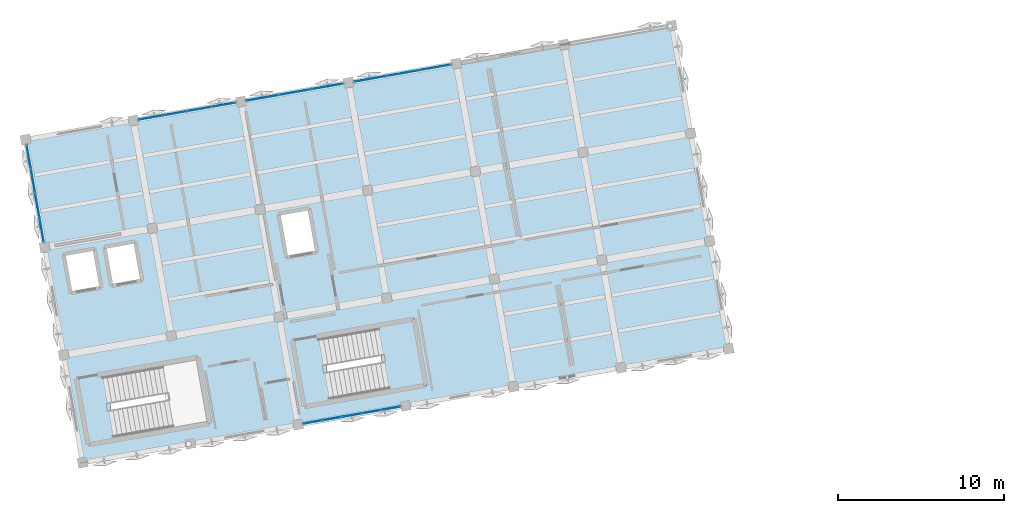
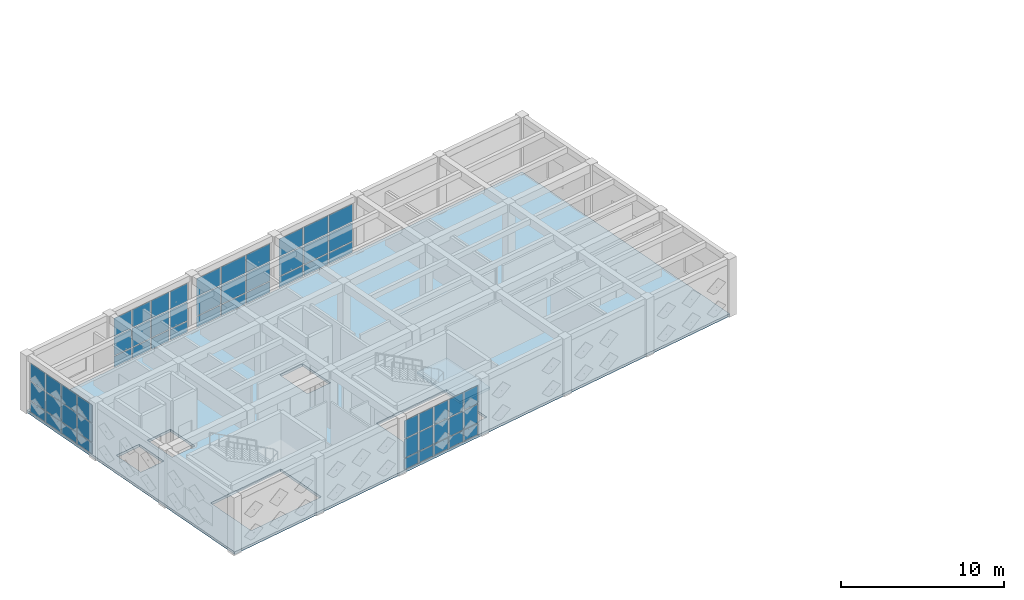
# One storey, part 21 of 36: 57 plates, 2 slabs, 6 elements without a shape of their own.
"""IFC4 building model written with IfcOpenShell, lengths in metres."""

from ifc_helpers import new_model, si_unit, direction, frame, origin, origin_2d, place, context, subcontext, project, spatial, polyline, rectangle, outline, extrude, material, layer, layer_set, type_object, element, aggregate, save


model = new_model("IFC4")

# Units and contexts
model_context = context("Model", 3, precision=1e-05, world=origin(), true_north=direction((0.0, 1.0)))
body_context = subcontext(model_context, "Body", "Model", "MODEL_VIEW")
ifc_project = project(units=[si_unit("LENGTHUNIT", "METRE"), si_unit("AREAUNIT", "SQUARE_METRE"), si_unit("VOLUMEUNIT", "CUBIC_METRE"), si_unit("PLANEANGLEUNIT", "RADIAN"), si_unit("MASSUNIT", "GRAM", prefix="KILO")], contexts=[model_context])

# Site, building, storey
site_placement = place(None, origin())
site = spatial("IfcSite", under=ifc_project, at=site_placement, CompositionType="ELEMENT")
building_placement = place(site_placement, origin())
building = spatial("IfcBuilding", under=site, at=building_placement, Name="Kharisveld Research Institute", CompositionType="ELEMENT")
storey_placement = place(building_placement, frame((0.0, 0.0, 27.60009765625)))
storey = spatial("IfcBuildingStorey", under=building, at=storey_placement, Name="L06", CompositionType="ELEMENT", Elevation=27.60009765625)

# Curtain wall, plates
ifc_material_1 = material(Name="Thermally Broken Aluminium Curtain Wall", Category="aluminium")
ifc_layer_1 = layer(ifc_material_1, 0.159912109375)
ifc_layer_set_1 = layer_set([ifc_layer_1], Name="CW_SYS_03")
curtain_wall_type_1 = type_object("IfcCurtainWallType", Name="CW_SYS_03", PredefinedType="NOTDEFINED", material=ifc_layer_set_1)
curtain_wall_1_placement = place(storey_placement, origin())
curtain_wall_1 = element("IfcCurtainWall", 1, at=curtain_wall_1_placement, inside=storey, type_object=curtain_wall_type_1, Name="CW:V1:L06:W2", PredefinedType="NOTDEFINED")
ifc_material_2 = material(Name="Low-E Double Glazing", Category="glass")
ifc_layer_2 = layer(ifc_material_2, 0.028076171875)
ifc_layer_set_2 = layer_set([ifc_layer_2], Name="CW_PNL_GLZ")
plate_type_1 = type_object("IfcPlateType", Name="CW_PNL_GLZ", PredefinedType="CURTAIN_PANEL", material=ifc_layer_set_2)
plate_1_placement = place(storey_placement, frame((2.72314453125, 49.05712890625, 0.06494140625), z_axis=(0.0, 0.0, 1.0), x_axis=(-0.173648210685, 0.98480774719, 0.0)))
plate_1 = element("IfcPlate", 2, at=plate_1_placement, type_object=plate_type_1, Name="CW-03 panel 1.1", PredefinedType="CURTAIN_PANEL", context=body_context, shape_type="SweptSolid", body=[
    extrude(rectangle(XDim=1.3974609375, YDim=0.028076171875, at=origin_2d()), origin(), (0.0, 0.0, 1.0), 0.802490234375),
])
plate_2_placement = place(storey_placement, frame((2.72314453125, 49.05712890625, 0.9326171875), z_axis=(0.0, 0.0, 1.0), x_axis=(-0.173648210685, 0.98480774719, 0.0)))
plate_2 = element("IfcPlate", 3, at=plate_2_placement, type_object=plate_type_1, Name="CW-03 panel 1.2", PredefinedType="CURTAIN_PANEL", context=body_context, shape_type="SweptSolid", body=[
    extrude(rectangle(XDim=1.3974609375, YDim=0.028076171875, at=origin_2d()), origin(), (0.0, 0.0, 1.0), 1.385009765625),
])
plate_3_placement = place(storey_placement, frame((2.72314453125, 49.05712890625, 2.38232421875), z_axis=(0.0, 0.0, 1.0), x_axis=(-0.173648210685, 0.98480774719, 0.0)))
plate_3 = element("IfcPlate", 4, at=plate_3_placement, type_object=plate_type_1, Name="CW-03 panel 1.3", PredefinedType="CURTAIN_PANEL", context=body_context, shape_type="SweptSolid", body=[
    extrude(rectangle(XDim=1.3974609375, YDim=0.028076171875, at=origin_2d()), origin(), (0.0, 0.0, 1.0), 1.33251953125),
])
plate_4_placement = place(storey_placement, frame((2.46533203125, 50.51953125, 0.06494140625), z_axis=(0.0, 0.0, 1.0), x_axis=(-0.173648210685, 0.98480774719, 0.0)))
plate_4 = element("IfcPlate", 5, at=plate_4_placement, type_object=plate_type_1, Name="CW-03 panel 2.1", PredefinedType="CURTAIN_PANEL", context=body_context, shape_type="SweptSolid", body=[
    extrude(rectangle(XDim=1.4326171875, YDim=0.028076171875, at=origin_2d()), origin(), (0.0, 0.0, 1.0), 0.802490234375),
])
plate_5_placement = place(storey_placement, frame((2.46533203125, 50.51953125, 0.9326171875), z_axis=(0.0, 0.0, 1.0), x_axis=(-0.173648210685, 0.98480774719, 0.0)))
plate_5 = element("IfcPlate", 6, at=plate_5_placement, type_object=plate_type_1, Name="CW-03 panel 2.2", PredefinedType="CURTAIN_PANEL", context=body_context, shape_type="SweptSolid", body=[
    extrude(rectangle(XDim=1.4326171875, YDim=0.028076171875, at=origin_2d()), origin(), (0.0, 0.0, 1.0), 1.385009765625),
])
plate_6_placement = place(storey_placement, frame((2.46533203125, 50.51953125, 2.38232421875), z_axis=(0.0, 0.0, 1.0), x_axis=(-0.173648210685, 0.98480774719, 0.0)))
plate_6 = element("IfcPlate", 7, at=plate_6_placement, type_object=plate_type_1, Name="CW-03 panel 2.3", PredefinedType="CURTAIN_PANEL", context=body_context, shape_type="SweptSolid", body=[
    extrude(rectangle(XDim=1.4326171875, YDim=0.028076171875, at=origin_2d()), origin(), (0.0, 0.0, 1.0), 1.33251953125),
])
plate_7_placement = place(storey_placement, frame((2.204345703125, 51.999267578125, 0.06494140625), z_axis=(0.0, 0.0, 1.0), x_axis=(-0.173648210685, 0.98480774719, 0.0)))
plate_7 = element("IfcPlate", 8, at=plate_7_placement, type_object=plate_type_1, Name="CW-03 panel 3.1", PredefinedType="CURTAIN_PANEL", context=body_context, shape_type="SweptSolid", body=[
    extrude(rectangle(XDim=1.4326171875, YDim=0.028076171875, at=origin_2d()), origin(), (0.0, 0.0, 1.0), 0.802490234375),
])
plate_8_placement = place(storey_placement, frame((2.204345703125, 51.999267578125, 0.9326171875), z_axis=(0.0, 0.0, 1.0), x_axis=(-0.173648210685, 0.98480774719, 0.0)))
plate_8 = element("IfcPlate", 9, at=plate_8_placement, type_object=plate_type_1, Name="CW-03 panel 3.2", PredefinedType="CURTAIN_PANEL", context=body_context, shape_type="SweptSolid", body=[
    extrude(rectangle(XDim=1.4326171875, YDim=0.028076171875, at=origin_2d()), origin(), (0.0, 0.0, 1.0), 1.385009765625),
])
plate_9_placement = place(storey_placement, frame((2.204345703125, 51.999267578125, 2.38232421875), z_axis=(0.0, 0.0, 1.0), x_axis=(-0.173648210685, 0.98480774719, 0.0)))
plate_9 = element("IfcPlate", 10, at=plate_9_placement, type_object=plate_type_1, Name="CW-03 panel 3.3", PredefinedType="CURTAIN_PANEL", context=body_context, shape_type="SweptSolid", body=[
    extrude(rectangle(XDim=1.4326171875, YDim=0.028076171875, at=origin_2d()), origin(), (0.0, 0.0, 1.0), 1.33251953125),
])
plate_10_placement = place(storey_placement, frame((1.946533203125, 53.461669921875, 0.06494140625), z_axis=(0.0, 0.0, 1.0), x_axis=(-0.173648210685, 0.98480774719, 0.0)))
plate_10 = element("IfcPlate", 11, at=plate_10_placement, type_object=plate_type_1, Name="CW-03 panel 4.1", PredefinedType="CURTAIN_PANEL", context=body_context, shape_type="SweptSolid", body=[
    extrude(rectangle(XDim=1.3974609375, YDim=0.028076171875, at=origin_2d()), origin(), (0.0, 0.0, 1.0), 0.802490234375),
])
plate_11_placement = place(storey_placement, frame((1.946533203125, 53.461669921875, 0.9326171875), z_axis=(0.0, 0.0, 1.0), x_axis=(-0.173648210685, 0.98480774719, 0.0)))
plate_11 = element("IfcPlate", 12, at=plate_11_placement, type_object=plate_type_1, Name="CW-03 panel 4.2", PredefinedType="CURTAIN_PANEL", context=body_context, shape_type="SweptSolid", body=[
    extrude(rectangle(XDim=1.3974609375, YDim=0.028076171875, at=origin_2d()), origin(), (0.0, 0.0, 1.0), 1.385009765625),
])
plate_12_placement = place(storey_placement, frame((1.946533203125, 53.461669921875, 2.38232421875), z_axis=(0.0, 0.0, 1.0), x_axis=(-0.173648210685, 0.98480774719, 0.0)))
plate_12 = element("IfcPlate", 13, at=plate_12_placement, type_object=plate_type_1, Name="CW-03 panel 4.3", PredefinedType="CURTAIN_PANEL", context=body_context, shape_type="SweptSolid", body=[
    extrude(rectangle(XDim=1.3974609375, YDim=0.028076171875, at=origin_2d()), origin(), (0.0, 0.0, 1.0), 1.33251953125),
])
aggregate(curtain_wall_1, [plate_1, plate_2, plate_3, plate_4, plate_5, plate_6, plate_7, plate_8, plate_9, plate_10, plate_11, plate_12])

ifc_material_3 = material(Name="Thermally Broken Aluminium Curtain Wall", Category="aluminium")
ifc_layer_3 = layer(ifc_material_3, 0.159912109375)
ifc_layer_set_3 = layer_set([ifc_layer_3], Name="CW_SYS_04")
curtain_wall_type_2 = type_object("IfcCurtainWallType", Name="CW_SYS_04", PredefinedType="NOTDEFINED", material=ifc_layer_set_3)
curtain_wall_2_placement = place(storey_placement, origin())
curtain_wall_2 = element("IfcCurtainWall", 14, at=curtain_wall_2_placement, inside=storey, type_object=curtain_wall_type_2, Name="CW:V1:L06:N1", PredefinedType="NOTDEFINED")
plate_13_placement = place(storey_placement, frame((9.30908203125, 55.840087890625, 0.06494140625), z_axis=(0.0, 0.0, 1.0), x_axis=(0.984807742174, 0.173648239132, 0.0)))
plate_13 = element("IfcPlate", 15, at=plate_13_placement, type_object=plate_type_1, Name="CW-04 panel 1.1", PredefinedType="CURTAIN_PANEL", context=body_context, shape_type="SweptSolid", body=[
    extrude(rectangle(XDim=1.3974609375, YDim=0.028076171875, at=origin_2d()), origin(), (0.0, 0.0, 1.0), 0.802490234375),
])
plate_14_placement = place(storey_placement, frame((9.30908203125, 55.840087890625, 0.9326171875), z_axis=(0.0, 0.0, 1.0), x_axis=(0.984807742174, 0.173648239132, 0.0)))
plate_14 = element("IfcPlate", 16, at=plate_14_placement, type_object=plate_type_1, Name="CW-04 panel 1.2", PredefinedType="CURTAIN_PANEL", context=body_context, shape_type="SweptSolid", body=[
    extrude(rectangle(XDim=1.3974609375, YDim=0.028076171875, at=origin_2d()), origin(), (0.0, 0.0, 1.0), 1.385009765625),
])
plate_15_placement = place(storey_placement, frame((9.30908203125, 55.840087890625, 2.38232421875), z_axis=(0.0, 0.0, 1.0), x_axis=(0.984807742174, 0.173648239132, 0.0)))
plate_15 = element("IfcPlate", 17, at=plate_15_placement, type_object=plate_type_1, Name="CW-04 panel 1.3", PredefinedType="CURTAIN_PANEL", context=body_context, shape_type="SweptSolid", body=[
    extrude(rectangle(XDim=1.3974609375, YDim=0.028076171875, at=origin_2d()), origin(), (0.0, 0.0, 1.0), 1.33251953125),
])
plate_16_placement = place(storey_placement, frame((10.771484375, 56.097900390625, 0.06494140625), z_axis=(0.0, 0.0, 1.0), x_axis=(0.984807742174, 0.173648239132, 0.0)))
plate_16 = element("IfcPlate", 18, at=plate_16_placement, type_object=plate_type_1, Name="CW-04 panel 2.1", PredefinedType="CURTAIN_PANEL", context=body_context, shape_type="SweptSolid", body=[
    extrude(rectangle(XDim=1.4326171875, YDim=0.028076171875, at=origin_2d()), origin(), (0.0, 0.0, 1.0), 0.802490234375),
])
plate_17_placement = place(storey_placement, frame((10.771484375, 56.097900390625, 0.9326171875), z_axis=(0.0, 0.0, 1.0), x_axis=(0.984807742174, 0.173648239132, 0.0)))
plate_17 = element("IfcPlate", 19, at=plate_17_placement, type_object=plate_type_1, Name="CW-04 panel 2.2", PredefinedType="CURTAIN_PANEL", context=body_context, shape_type="SweptSolid", body=[
    extrude(rectangle(XDim=1.4326171875, YDim=0.028076171875, at=origin_2d()), origin(), (0.0, 0.0, 1.0), 1.385009765625),
])
plate_18_placement = place(storey_placement, frame((10.771484375, 56.097900390625, 2.38232421875), z_axis=(0.0, 0.0, 1.0), x_axis=(0.984807742174, 0.173648239132, 0.0)))
plate_18 = element("IfcPlate", 20, at=plate_18_placement, type_object=plate_type_1, Name="CW-04 panel 2.3", PredefinedType="CURTAIN_PANEL", context=body_context, shape_type="SweptSolid", body=[
    extrude(rectangle(XDim=1.4326171875, YDim=0.028076171875, at=origin_2d()), origin(), (0.0, 0.0, 1.0), 1.33251953125),
])
plate_19_placement = place(storey_placement, frame((12.251220703125, 56.358642578125, 0.06494140625), z_axis=(0.0, 0.0, 1.0), x_axis=(0.984807742174, 0.173648239132, 0.0)))
plate_19 = element("IfcPlate", 21, at=plate_19_placement, type_object=plate_type_1, Name="CW-04 panel 3.1", PredefinedType="CURTAIN_PANEL", context=body_context, shape_type="SweptSolid", body=[
    extrude(rectangle(XDim=1.4326171875, YDim=0.028076171875, at=origin_2d()), origin(), (0.0, 0.0, 1.0), 0.802490234375),
])
plate_20_placement = place(storey_placement, frame((12.251220703125, 56.358642578125, 0.9326171875), z_axis=(0.0, 0.0, 1.0), x_axis=(0.984807742174, 0.173648239132, 0.0)))
plate_20 = element("IfcPlate", 22, at=plate_20_placement, type_object=plate_type_1, Name="CW-04 panel 3.2", PredefinedType="CURTAIN_PANEL", context=body_context, shape_type="SweptSolid", body=[
    extrude(rectangle(XDim=1.4326171875, YDim=0.028076171875, at=origin_2d()), origin(), (0.0, 0.0, 1.0), 1.385009765625),
])
plate_21_placement = place(storey_placement, frame((12.251220703125, 56.358642578125, 2.38232421875), z_axis=(0.0, 0.0, 1.0), x_axis=(0.984807742174, 0.173648239132, 0.0)))
plate_21 = element("IfcPlate", 23, at=plate_21_placement, type_object=plate_type_1, Name="CW-04 panel 3.3", PredefinedType="CURTAIN_PANEL", context=body_context, shape_type="SweptSolid", body=[
    extrude(rectangle(XDim=1.4326171875, YDim=0.028076171875, at=origin_2d()), origin(), (0.0, 0.0, 1.0), 1.33251953125),
])
plate_22_placement = place(storey_placement, frame((13.713623046875, 56.61669921875, 0.06494140625), z_axis=(0.0, 0.0, 1.0), x_axis=(0.984807742174, 0.173648239132, 0.0)))
plate_22 = element("IfcPlate", 24, at=plate_22_placement, type_object=plate_type_1, Name="CW-04 panel 4.1", PredefinedType="CURTAIN_PANEL", context=body_context, shape_type="SweptSolid", body=[
    extrude(rectangle(XDim=1.3974609375, YDim=0.028076171875, at=origin_2d()), origin(), (0.0, 0.0, 1.0), 0.802490234375),
])
plate_23_placement = place(storey_placement, frame((13.713623046875, 56.61669921875, 0.9326171875), z_axis=(0.0, 0.0, 1.0), x_axis=(0.984807742174, 0.173648239132, 0.0)))
plate_23 = element("IfcPlate", 25, at=plate_23_placement, type_object=plate_type_1, Name="CW-04 panel 4.2", PredefinedType="CURTAIN_PANEL", context=body_context, shape_type="SweptSolid", body=[
    extrude(rectangle(XDim=1.3974609375, YDim=0.028076171875, at=origin_2d()), origin(), (0.0, 0.0, 1.0), 1.385009765625),
])
plate_24_placement = place(storey_placement, frame((13.713623046875, 56.61669921875, 2.38232421875), z_axis=(0.0, 0.0, 1.0), x_axis=(0.984807742174, 0.173648239132, 0.0)))
plate_24 = element("IfcPlate", 26, at=plate_24_placement, type_object=plate_type_1, Name="CW-04 panel 4.3", PredefinedType="CURTAIN_PANEL", context=body_context, shape_type="SweptSolid", body=[
    extrude(rectangle(XDim=1.3974609375, YDim=0.028076171875, at=origin_2d()), origin(), (0.0, 0.0, 1.0), 1.33251953125),
])
aggregate(curtain_wall_2, [plate_13, plate_14, plate_15, plate_16, plate_17, plate_18, plate_19, plate_20, plate_21, plate_22, plate_23, plate_24])

ifc_material_4 = material(Name="Thermally Broken Aluminium Curtain Wall", Category="aluminium")
ifc_layer_4 = layer(ifc_material_4, 0.159912109375)
ifc_layer_set_4 = layer_set([ifc_layer_4], Name="CW_SYS_05")
curtain_wall_type_3 = type_object("IfcCurtainWallType", Name="CW_SYS_05", PredefinedType="NOTDEFINED", material=ifc_layer_set_4)
curtain_wall_3_placement = place(storey_placement, origin())
curtain_wall_3 = element("IfcCurtainWall", 27, at=curtain_wall_3_placement, inside=storey, type_object=curtain_wall_type_3, Name="CW:V1:L06:N2", PredefinedType="NOTDEFINED")
plate_25_placement = place(storey_placement, frame((16.055419921875, 57.029541015625, 0.06494140625), z_axis=(0.0, 0.0, 1.0), x_axis=(0.98480774719, 0.173648210685, 0.0)))
plate_25 = element("IfcPlate", 28, at=plate_25_placement, type_object=plate_type_1, Name="CW-05 panel 1.1", PredefinedType="CURTAIN_PANEL", context=body_context, shape_type="SweptSolid", body=[
    extrude(rectangle(XDim=1.8984375, YDim=0.028076171875, at=origin_2d()), origin(), (0.0, 0.0, 1.0), 0.802490234375),
])
plate_26_placement = place(storey_placement, frame((16.055419921875, 57.029541015625, 0.9326171875), z_axis=(0.0, 0.0, 1.0), x_axis=(0.98480774719, 0.173648210685, 0.0)))
plate_26 = element("IfcPlate", 29, at=plate_26_placement, type_object=plate_type_1, Name="CW-05 panel 1.2", PredefinedType="CURTAIN_PANEL", context=body_context, shape_type="SweptSolid", body=[
    extrude(rectangle(XDim=1.8984375, YDim=0.028076171875, at=origin_2d()), origin(), (0.0, 0.0, 1.0), 1.385009765625),
])
plate_27_placement = place(storey_placement, frame((16.055419921875, 57.029541015625, 2.38232421875), z_axis=(0.0, 0.0, 1.0), x_axis=(0.98480774719, 0.173648210685, 0.0)))
plate_27 = element("IfcPlate", 30, at=plate_27_placement, type_object=plate_type_1, Name="CW-05 panel 1.3", PredefinedType="CURTAIN_PANEL", context=body_context, shape_type="SweptSolid", body=[
    extrude(rectangle(XDim=1.8984375, YDim=0.028076171875, at=origin_2d()), origin(), (0.0, 0.0, 1.0), 1.33251953125),
])
plate_28_placement = place(storey_placement, frame((18.010986328125, 57.374267578125, 0.06494140625), z_axis=(0.0, 0.0, 1.0), x_axis=(0.98480774719, 0.173648210685, 0.0)))
plate_28 = element("IfcPlate", 31, at=plate_28_placement, type_object=plate_type_1, Name="CW-05 panel 2.1", PredefinedType="CURTAIN_PANEL", context=body_context, shape_type="SweptSolid", body=[
    extrude(rectangle(XDim=1.933349609375, YDim=0.028076171875, at=origin_2d()), origin(), (0.0, 0.0, 1.0), 0.802490234375),
])
plate_29_placement = place(storey_placement, frame((18.010986328125, 57.374267578125, 0.9326171875), z_axis=(0.0, 0.0, 1.0), x_axis=(0.98480774719, 0.173648210685, 0.0)))
plate_29 = element("IfcPlate", 32, at=plate_29_placement, type_object=plate_type_1, Name="CW-05 panel 2.2", PredefinedType="CURTAIN_PANEL", context=body_context, shape_type="SweptSolid", body=[
    extrude(rectangle(XDim=1.933349609375, YDim=0.028076171875, at=origin_2d()), origin(), (0.0, 0.0, 1.0), 1.385009765625),
])
plate_30_placement = place(storey_placement, frame((18.010986328125, 57.374267578125, 2.38232421875), z_axis=(0.0, 0.0, 1.0), x_axis=(0.98480774719, 0.173648210685, 0.0)))
plate_30 = element("IfcPlate", 33, at=plate_30_placement, type_object=plate_type_1, Name="CW-05 panel 2.3", PredefinedType="CURTAIN_PANEL", context=body_context, shape_type="SweptSolid", body=[
    extrude(rectangle(XDim=1.933349609375, YDim=0.028076171875, at=origin_2d()), origin(), (0.0, 0.0, 1.0), 1.33251953125),
])
plate_31_placement = place(storey_placement, frame((19.966796875, 57.71923828125, 0.06494140625), z_axis=(0.0, 0.0, 1.0), x_axis=(0.98480774719, 0.173648210685, 0.0)))
plate_31 = element("IfcPlate", 34, at=plate_31_placement, type_object=plate_type_1, Name="CW-05 panel 3.1", PredefinedType="CURTAIN_PANEL", context=body_context, shape_type="SweptSolid", body=[
    extrude(rectangle(XDim=1.8984375, YDim=0.028076171875, at=origin_2d()), origin(), (0.0, 0.0, 1.0), 0.802490234375),
])
plate_32_placement = place(storey_placement, frame((19.966796875, 57.71923828125, 0.9326171875), z_axis=(0.0, 0.0, 1.0), x_axis=(0.98480774719, 0.173648210685, 0.0)))
plate_32 = element("IfcPlate", 35, at=plate_32_placement, type_object=plate_type_1, Name="CW-05 panel 3.2", PredefinedType="CURTAIN_PANEL", context=body_context, shape_type="SweptSolid", body=[
    extrude(rectangle(XDim=1.8984375, YDim=0.028076171875, at=origin_2d()), origin(), (0.0, 0.0, 1.0), 1.385009765625),
])
plate_33_placement = place(storey_placement, frame((19.966796875, 57.71923828125, 2.38232421875), z_axis=(0.0, 0.0, 1.0), x_axis=(0.98480774719, 0.173648210685, 0.0)))
plate_33 = element("IfcPlate", 36, at=plate_33_placement, type_object=plate_type_1, Name="CW-05 panel 3.3", PredefinedType="CURTAIN_PANEL", context=body_context, shape_type="SweptSolid", body=[
    extrude(rectangle(XDim=1.8984375, YDim=0.028076171875, at=origin_2d()), origin(), (0.0, 0.0, 1.0), 1.33251953125),
])
aggregate(curtain_wall_3, [plate_25, plate_26, plate_27, plate_28, plate_29, plate_30, plate_31, plate_32, plate_33])

ifc_material_5 = material(Name="Thermally Broken Aluminium Curtain Wall", Category="aluminium")
ifc_layer_5 = layer(ifc_material_5, 0.159912109375)
ifc_layer_set_5 = layer_set([ifc_layer_5], Name="CW_SYS_06")
curtain_wall_type_4 = type_object("IfcCurtainWallType", Name="CW_SYS_06", PredefinedType="NOTDEFINED", material=ifc_layer_set_5)
curtain_wall_4_placement = place(storey_placement, origin())
curtain_wall_4 = element("IfcCurtainWall", 37, at=curtain_wall_4_placement, inside=storey, type_object=curtain_wall_type_4, Name="CW:V1:L06:N3", PredefinedType="NOTDEFINED")
plate_34_placement = place(storey_placement, frame((22.55517578125, 58.175537109375, 0.06494140625), z_axis=(0.0, 0.0, 1.0), x_axis=(0.984807742174, 0.173648239132, 0.0)))
plate_34 = element("IfcPlate", 38, at=plate_34_placement, type_object=plate_type_1, Name="CW-06 panel 1.1", PredefinedType="CURTAIN_PANEL", context=body_context, shape_type="SweptSolid", body=[
    extrude(rectangle(XDim=1.8984375, YDim=0.028076171875, at=origin_2d()), origin(), (0.0, 0.0, 1.0), 0.802490234375),
])
plate_35_placement = place(storey_placement, frame((22.55517578125, 58.175537109375, 0.9326171875), z_axis=(0.0, 0.0, 1.0), x_axis=(0.984807742174, 0.173648239132, 0.0)))
plate_35 = element("IfcPlate", 39, at=plate_35_placement, type_object=plate_type_1, Name="CW-06 panel 1.2", PredefinedType="CURTAIN_PANEL", context=body_context, shape_type="SweptSolid", body=[
    extrude(rectangle(XDim=1.8984375, YDim=0.028076171875, at=origin_2d()), origin(), (0.0, 0.0, 1.0), 1.385009765625),
])
plate_36_placement = place(storey_placement, frame((22.55517578125, 58.175537109375, 2.38232421875), z_axis=(0.0, 0.0, 1.0), x_axis=(0.984807742174, 0.173648239132, 0.0)))
plate_36 = element("IfcPlate", 40, at=plate_36_placement, type_object=plate_type_1, Name="CW-06 panel 1.3", PredefinedType="CURTAIN_PANEL", context=body_context, shape_type="SweptSolid", body=[
    extrude(rectangle(XDim=1.8984375, YDim=0.028076171875, at=origin_2d()), origin(), (0.0, 0.0, 1.0), 1.33251953125),
])
plate_37_placement = place(storey_placement, frame((24.5107421875, 58.5205078125, 0.06494140625), z_axis=(0.0, 0.0, 1.0), x_axis=(0.984807742174, 0.173648239132, 0.0)))
plate_37 = element("IfcPlate", 41, at=plate_37_placement, type_object=plate_type_1, Name="CW-06 panel 2.1", PredefinedType="CURTAIN_PANEL", context=body_context, shape_type="SweptSolid", body=[
    extrude(rectangle(XDim=1.933349609375, YDim=0.028076171875, at=origin_2d()), origin(), (0.0, 0.0, 1.0), 0.802490234375),
])
plate_38_placement = place(storey_placement, frame((24.5107421875, 58.5205078125, 0.9326171875), z_axis=(0.0, 0.0, 1.0), x_axis=(0.984807742174, 0.173648239132, 0.0)))
plate_38 = element("IfcPlate", 42, at=plate_38_placement, type_object=plate_type_1, Name="CW-06 panel 2.2", PredefinedType="CURTAIN_PANEL", context=body_context, shape_type="SweptSolid", body=[
    extrude(rectangle(XDim=1.933349609375, YDim=0.028076171875, at=origin_2d()), origin(), (0.0, 0.0, 1.0), 1.385009765625),
])
plate_39_placement = place(storey_placement, frame((24.5107421875, 58.5205078125, 2.38232421875), z_axis=(0.0, 0.0, 1.0), x_axis=(0.984807742174, 0.173648239132, 0.0)))
plate_39 = element("IfcPlate", 43, at=plate_39_placement, type_object=plate_type_1, Name="CW-06 panel 2.3", PredefinedType="CURTAIN_PANEL", context=body_context, shape_type="SweptSolid", body=[
    extrude(rectangle(XDim=1.933349609375, YDim=0.028076171875, at=origin_2d()), origin(), (0.0, 0.0, 1.0), 1.33251953125),
])
plate_40_placement = place(storey_placement, frame((26.466552734375, 58.865234375, 0.06494140625), z_axis=(0.0, 0.0, 1.0), x_axis=(0.984807742174, 0.173648239132, 0.0)))
plate_40 = element("IfcPlate", 44, at=plate_40_placement, type_object=plate_type_1, Name="CW-06 panel 3.1", PredefinedType="CURTAIN_PANEL", context=body_context, shape_type="SweptSolid", body=[
    extrude(rectangle(XDim=1.8984375, YDim=0.028076171875, at=origin_2d()), origin(), (0.0, 0.0, 1.0), 0.802490234375),
])
plate_41_placement = place(storey_placement, frame((26.466552734375, 58.865234375, 0.9326171875), z_axis=(0.0, 0.0, 1.0), x_axis=(0.984807742174, 0.173648239132, 0.0)))
plate_41 = element("IfcPlate", 45, at=plate_41_placement, type_object=plate_type_1, Name="CW-06 panel 3.2", PredefinedType="CURTAIN_PANEL", context=body_context, shape_type="SweptSolid", body=[
    extrude(rectangle(XDim=1.8984375, YDim=0.028076171875, at=origin_2d()), origin(), (0.0, 0.0, 1.0), 1.385009765625),
])
plate_42_placement = place(storey_placement, frame((26.466552734375, 58.865234375, 2.38232421875), z_axis=(0.0, 0.0, 1.0), x_axis=(0.984807742174, 0.173648239132, 0.0)))
plate_42 = element("IfcPlate", 46, at=plate_42_placement, type_object=plate_type_1, Name="CW-06 panel 3.3", PredefinedType="CURTAIN_PANEL", context=body_context, shape_type="SweptSolid", body=[
    extrude(rectangle(XDim=1.8984375, YDim=0.028076171875, at=origin_2d()), origin(), (0.0, 0.0, 1.0), 1.33251953125),
])
aggregate(curtain_wall_4, [plate_34, plate_35, plate_36, plate_37, plate_38, plate_39, plate_40, plate_41, plate_42])

ifc_material_6 = material(Name="Thermally Broken Aluminium Curtain Wall", Category="aluminium")
ifc_layer_6 = layer(ifc_material_6, 0.159912109375)
ifc_layer_set_6 = layer_set([ifc_layer_6], Name="CW_SYS_01")
curtain_wall_type_5 = type_object("IfcCurtainWallType", Name="CW_SYS_01", PredefinedType="NOTDEFINED", material=ifc_layer_set_6)
curtain_wall_5_placement = place(storey_placement, origin())
curtain_wall_5 = element("IfcCurtainWall", 47, at=curtain_wall_5_placement, inside=storey, type_object=curtain_wall_type_5, Name="CW:V1:L06:S3", PredefinedType="NOTDEFINED")
ifc_material_7 = material(Name="Insulated Spandrel Glazing", Category="glass")
ifc_layer_7 = layer(ifc_material_7, 0.035888671875)
ifc_layer_set_7 = layer_set([ifc_layer_7], Name="CW_PNL_SPD")
plate_type_2 = type_object("IfcPlateType", Name="CW_PNL_SPD", PredefinedType="CURTAIN_PANEL", material=ifc_layer_set_7)
plate_43_placement = place(storey_placement, frame((23.799560546875, 38.28955078125, 0.06494140625), z_axis=(0.0, 0.0, 1.0), x_axis=(-0.98480774719, -0.173648210685, 0.0)))
plate_43 = element("IfcPlate", 48, at=plate_43_placement, type_object=plate_type_2, Name="CW-01 panel 1.1", PredefinedType="CURTAIN_PANEL", context=body_context, shape_type="SweptSolid", body=[
    extrude(rectangle(XDim=1.096923828125, YDim=0.035888671875, at=origin_2d()), origin(), (0.0, 0.0, 1.0), 0.802490234375),
])
plate_44_placement = place(storey_placement, frame((23.799560546875, 38.28955078125, 0.9326171875), z_axis=(0.0, 0.0, 1.0), x_axis=(-0.98480774719, -0.173648210685, 0.0)))
plate_44 = element("IfcPlate", 49, at=plate_44_placement, type_object=plate_type_2, Name="CW-01 panel 1.2", PredefinedType="CURTAIN_PANEL", context=body_context, shape_type="SweptSolid", body=[
    extrude(rectangle(XDim=1.096923828125, YDim=0.035888671875, at=origin_2d()), origin(), (0.0, 0.0, 1.0), 1.385009765625),
])
plate_45_placement = place(storey_placement, frame((23.799560546875, 38.28955078125, 2.38232421875), z_axis=(0.0, 0.0, 1.0), x_axis=(-0.98480774719, -0.173648210685, 0.0)))
plate_45 = element("IfcPlate", 50, at=plate_45_placement, type_object=plate_type_2, Name="CW-01 panel 1.3", PredefinedType="CURTAIN_PANEL", context=body_context, shape_type="SweptSolid", body=[
    extrude(rectangle(XDim=1.096923828125, YDim=0.035888671875, at=origin_2d()), origin(), (0.0, 0.0, 1.0), 1.33251953125),
])
plate_46_placement = place(storey_placement, frame((22.633056640625, 38.083984375, 0.06494140625), z_axis=(0.0, 0.0, 1.0), x_axis=(-0.98480774719, -0.173648210685, 0.0)))
plate_46 = element("IfcPlate", 51, at=plate_46_placement, type_object=plate_type_2, Name="CW-01 panel 2.1", PredefinedType="CURTAIN_PANEL", context=body_context, shape_type="SweptSolid", body=[
    extrude(rectangle(XDim=1.132080078125, YDim=0.035888671875, at=origin_2d()), origin(), (0.0, 0.0, 1.0), 0.802490234375),
])
plate_47_placement = place(storey_placement, frame((22.633056640625, 38.083984375, 0.9326171875), z_axis=(0.0, 0.0, 1.0), x_axis=(-0.98480774719, -0.173648210685, 0.0)))
plate_47 = element("IfcPlate", 52, at=plate_47_placement, type_object=plate_type_2, Name="CW-01 panel 2.2", PredefinedType="CURTAIN_PANEL", context=body_context, shape_type="SweptSolid", body=[
    extrude(rectangle(XDim=1.132080078125, YDim=0.035888671875, at=origin_2d()), origin(), (0.0, 0.0, 1.0), 1.385009765625),
])
plate_48_placement = place(storey_placement, frame((22.633056640625, 38.083984375, 2.38232421875), z_axis=(0.0, 0.0, 1.0), x_axis=(-0.98480774719, -0.173648210685, 0.0)))
plate_48 = element("IfcPlate", 53, at=plate_48_placement, type_object=plate_type_2, Name="CW-01 panel 2.3", PredefinedType="CURTAIN_PANEL", context=body_context, shape_type="SweptSolid", body=[
    extrude(rectangle(XDim=1.132080078125, YDim=0.035888671875, at=origin_2d()), origin(), (0.0, 0.0, 1.0), 1.33251953125),
])
plate_49_placement = place(storey_placement, frame((21.44921875, 37.875244140625, 0.06494140625), z_axis=(0.0, 0.0, 1.0), x_axis=(-0.98480774719, -0.173648210685, 0.0)))
plate_49 = element("IfcPlate", 54, at=plate_49_placement, type_object=plate_type_2, Name="CW-01 panel 3.1", PredefinedType="CURTAIN_PANEL", context=body_context, shape_type="SweptSolid", body=[
    extrude(rectangle(XDim=1.132080078125, YDim=0.035888671875, at=origin_2d()), origin(), (0.0, 0.0, 1.0), 0.802490234375),
])
plate_50_placement = place(storey_placement, frame((21.44921875, 37.875244140625, 0.9326171875), z_axis=(0.0, 0.0, 1.0), x_axis=(-0.98480774719, -0.173648210685, 0.0)))
plate_50 = element("IfcPlate", 55, at=plate_50_placement, type_object=plate_type_2, Name="CW-01 panel 3.2", PredefinedType="CURTAIN_PANEL", context=body_context, shape_type="SweptSolid", body=[
    extrude(rectangle(XDim=1.132080078125, YDim=0.035888671875, at=origin_2d()), origin(), (0.0, 0.0, 1.0), 1.385009765625),
])
plate_51_placement = place(storey_placement, frame((21.44921875, 37.875244140625, 2.38232421875), z_axis=(0.0, 0.0, 1.0), x_axis=(-0.98480774719, -0.173648210685, 0.0)))
plate_51 = element("IfcPlate", 56, at=plate_51_placement, type_object=plate_type_2, Name="CW-01 panel 3.3", PredefinedType="CURTAIN_PANEL", context=body_context, shape_type="SweptSolid", body=[
    extrude(rectangle(XDim=1.132080078125, YDim=0.035888671875, at=origin_2d()), origin(), (0.0, 0.0, 1.0), 1.33251953125),
])
plate_52_placement = place(storey_placement, frame((20.265625, 37.66650390625, 0.06494140625), z_axis=(0.0, 0.0, 1.0), x_axis=(-0.98480774719, -0.173648210685, 0.0)))
plate_52 = element("IfcPlate", 57, at=plate_52_placement, type_object=plate_type_2, Name="CW-01 panel 4.1", PredefinedType="CURTAIN_PANEL", context=body_context, shape_type="SweptSolid", body=[
    extrude(rectangle(XDim=1.132080078125, YDim=0.035888671875, at=origin_2d()), origin(), (0.0, 0.0, 1.0), 0.802490234375),
])
plate_53_placement = place(storey_placement, frame((20.265625, 37.66650390625, 0.9326171875), z_axis=(0.0, 0.0, 1.0), x_axis=(-0.98480774719, -0.173648210685, 0.0)))
plate_53 = element("IfcPlate", 58, at=plate_53_placement, type_object=plate_type_2, Name="CW-01 panel 4.2", PredefinedType="CURTAIN_PANEL", context=body_context, shape_type="SweptSolid", body=[
    extrude(rectangle(XDim=1.132080078125, YDim=0.035888671875, at=origin_2d()), origin(), (0.0, 0.0, 1.0), 1.385009765625),
])
plate_54_placement = place(storey_placement, frame((20.265625, 37.66650390625, 2.38232421875), z_axis=(0.0, 0.0, 1.0), x_axis=(-0.98480774719, -0.173648210685, 0.0)))
plate_54 = element("IfcPlate", 59, at=plate_54_placement, type_object=plate_type_2, Name="CW-01 panel 4.3", PredefinedType="CURTAIN_PANEL", context=body_context, shape_type="SweptSolid", body=[
    extrude(rectangle(XDim=1.132080078125, YDim=0.035888671875, at=origin_2d()), origin(), (0.0, 0.0, 1.0), 1.33251953125),
])
plate_55_placement = place(storey_placement, frame((19.09912109375, 37.460693359375, 0.06494140625), z_axis=(0.0, 0.0, 1.0), x_axis=(-0.98480774719, -0.173648210685, 0.0)))
plate_55 = element("IfcPlate", 60, at=plate_55_placement, type_object=plate_type_2, Name="CW-01 panel 5.1", PredefinedType="CURTAIN_PANEL", context=body_context, shape_type="SweptSolid", body=[
    extrude(rectangle(XDim=1.096923828125, YDim=0.035888671875, at=origin_2d()), origin(), (0.0, 0.0, 1.0), 0.802490234375),
])
plate_56_placement = place(storey_placement, frame((19.09912109375, 37.460693359375, 0.9326171875), z_axis=(0.0, 0.0, 1.0), x_axis=(-0.98480774719, -0.173648210685, 0.0)))
plate_56 = element("IfcPlate", 61, at=plate_56_placement, type_object=plate_type_2, Name="CW-01 panel 5.2", PredefinedType="CURTAIN_PANEL", context=body_context, shape_type="SweptSolid", body=[
    extrude(rectangle(XDim=1.096923828125, YDim=0.035888671875, at=origin_2d()), origin(), (0.0, 0.0, 1.0), 1.385009765625),
])
plate_57_placement = place(storey_placement, frame((19.09912109375, 37.460693359375, 2.38232421875), z_axis=(0.0, 0.0, 1.0), x_axis=(-0.98480774719, -0.173648210685, 0.0)))
plate_57 = element("IfcPlate", 62, at=plate_57_placement, type_object=plate_type_2, Name="CW-01 panel 5.3", PredefinedType="CURTAIN_PANEL", context=body_context, shape_type="SweptSolid", body=[
    extrude(rectangle(XDim=1.096923828125, YDim=0.035888671875, at=origin_2d()), origin(), (0.0, 0.0, 1.0), 1.33251953125),
])
aggregate(curtain_wall_5, [plate_43, plate_44, plate_45, plate_46, plate_47, plate_48, plate_49, plate_50, plate_51, plate_52, plate_53, plate_54, plate_55, plate_56, plate_57])

# Slab
ifc_material_8 = material(Name="Concrete C40/50", Category="concrete")
ifc_layer_8 = layer(ifc_material_8, 0.18994140625)
ifc_layer_set_8 = layer_set([ifc_layer_8], Name="SL_FLR_190")
slab_type_1 = type_object("IfcSlabType", Name="SL_FLR_190", PredefinedType="FLOOR", material=ifc_layer_set_8)
slab_1_placement = place(storey_placement, frame((0.0, 0.0, -0.190185546875)))
element("IfcSlab", 63, at=slab_1_placement, inside=storey, type_object=slab_type_1, Name="SLAB:V1:L06:MAIN", PredefinedType="FLOOR", context=body_context, shape_type="SweptSolid", body=[
    extrude(outline(polyline([(5.199951171875, 35.010009765625), (44.198486328125, 41.886474609375), (40.76025390625, 61.3857421875), (1.76171875, 54.50927734375), (5.199951171875, 35.010009765625)]), holes=[polyline([(12.73974609375, 37.45654296875), (7.224853515625, 36.48388671875), (6.554443359375, 40.285400390625), (12.0693359375, 41.2578125), (12.73974609375, 37.45654296875)]), polyline([(25.788330078125, 39.75732421875), (20.2734375, 38.784912109375), (19.603271484375, 42.586181640625), (25.1181640625, 43.55859375), (25.788330078125, 39.75732421875)]), polyline([(6.29931640625, 45.591552734375), (4.487060546875, 45.272216796875), (4.080810546875, 47.57666015625), (5.892822265625, 47.89599609375), (6.29931640625, 45.591552734375)]), polyline([(6.94921875, 45.706298828125), (6.54296875, 48.0107421875), (8.35498046875, 48.330322265625), (8.76123046875, 46.025634765625), (6.94921875, 45.706298828125)]), polyline([(17.5126953125, 47.41650390625), (17.05419921875, 50.016357421875), (18.8662109375, 50.3359375), (19.32470703125, 47.736083984375), (17.5126953125, 47.41650390625)])]), origin(), (0.0, 0.0, 1.0), 0.190185546875),
])

# Stair, slab
ifc_material_9 = material(Name="Concrete C40/50", Category="concrete")
stair_type = type_object("IfcStairType", Name="ST_EXIT_170", PredefinedType="TWO_STRAIGHT_RUN_STAIR", material=ifc_material_9)
stair_placement = place(storey_placement, origin())
stair = element("IfcStair", 64, at=stair_placement, inside=storey, type_object=stair_type, Name="STR:ST2:L06", PredefinedType="TWO_STRAIGHT_RUN_STAIR")
ifc_material_10 = material(Name="Concrete C40/50", Category="concrete")
ifc_layer_9 = layer(ifc_material_10, 0.179931640625)
ifc_layer_set_9 = layer_set([ifc_layer_9], Name="SL_LND_180")
slab_type_2 = type_object("IfcSlabType", Name="SL_LND_180", PredefinedType="LANDING", material=ifc_layer_set_9)
slab_2_placement = place(storey_placement, frame((0.0, 0.0, 2.06982421875)))
slab_2 = element("IfcSlab", 65, at=slab_2_placement, type_object=slab_type_2, Name="ST-02 landing 1", PredefinedType="LANDING", context=body_context, shape_type="SweptSolid", body=[
    extrude(outline(polyline([(23.59033203125, 39.237548828125), (25.958740234375, 39.6552734375), (25.243408203125, 43.712646484375), (22.874755859375, 43.295166015625), (23.59033203125, 39.237548828125)])), origin(), (0.0, 0.0, 1.0), 0.18017578125),
])
aggregate(stair, [slab_2])

save(model, "model.ifc")
